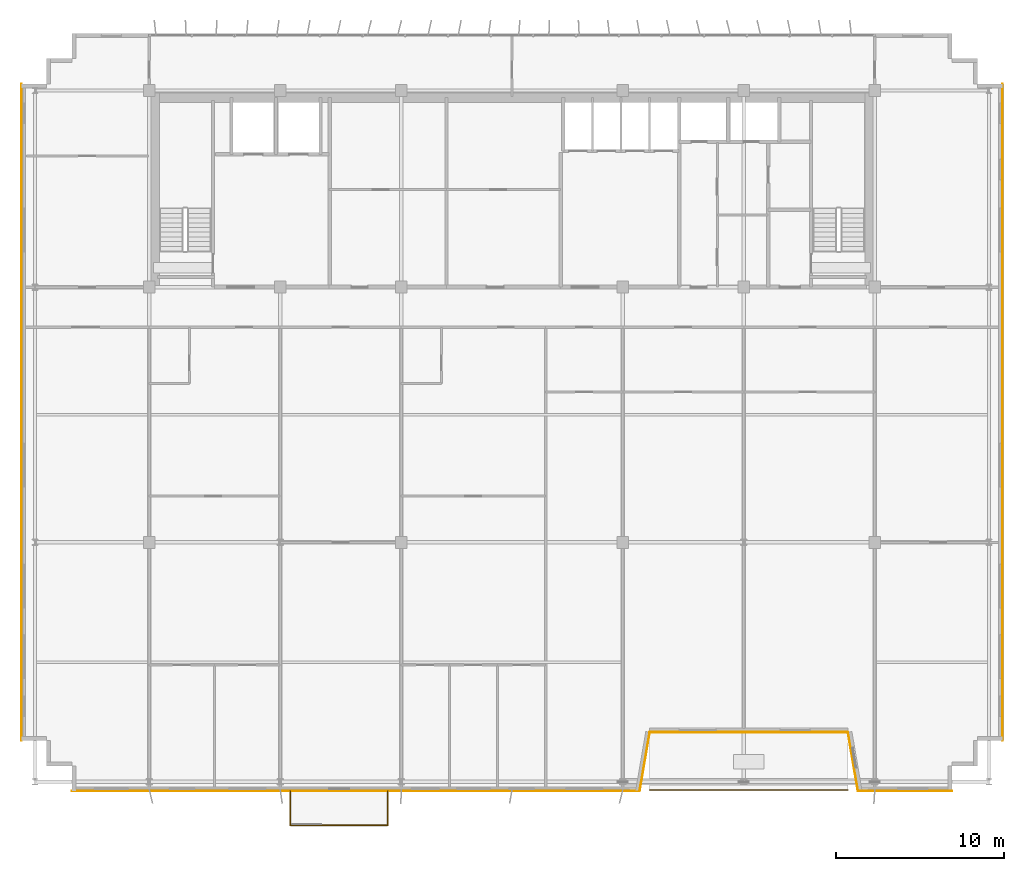
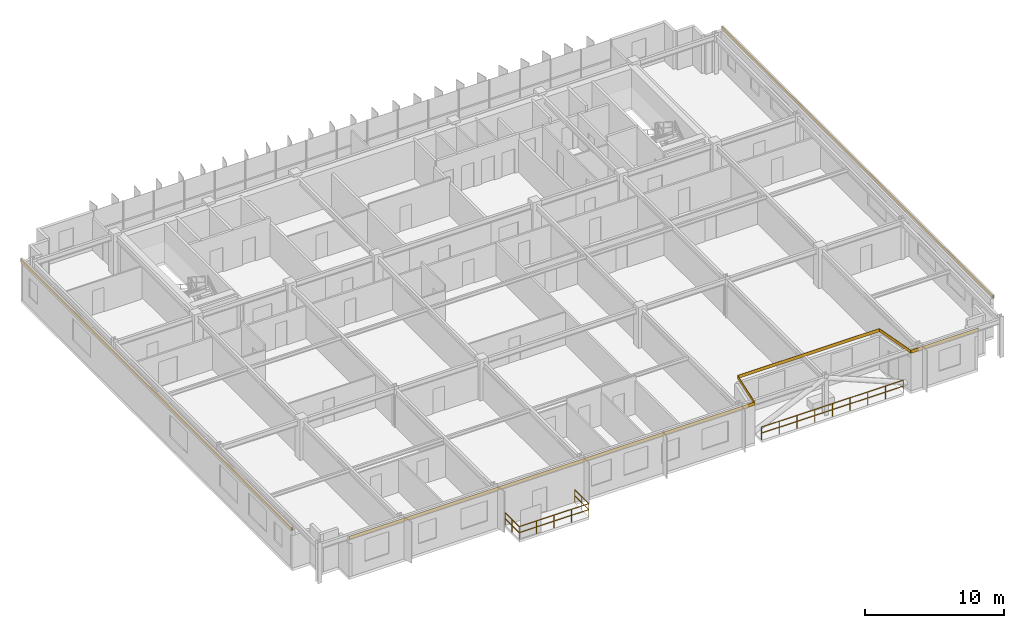
# One storey, part 22 of 23: 7 coverings, 4 railings.
"""IFC4 building model written with IfcOpenShell, lengths in metres."""

from ifc_helpers import new_model, si_unit, direction, frame, origin, origin_2d, place, context, subcontext, project, spatial, rectangle, extrude, source, transform, mapped, material, layer, layer_set, type_object, element, save


model = new_model("IFC4")

# Units and contexts
model_context = context("Model", 3, precision=1e-05, world=origin(), true_north=direction((0.0, 1.0)))
body_context = subcontext(model_context, "Body", "Model", "MODEL_VIEW")
ifc_project = project(units=[si_unit("LENGTHUNIT", "METRE"), si_unit("AREAUNIT", "SQUARE_METRE"), si_unit("VOLUMEUNIT", "CUBIC_METRE"), si_unit("PLANEANGLEUNIT", "RADIAN"), si_unit("MASSUNIT", "GRAM", prefix="KILO")], contexts=[model_context])

# Site, building, storey
site_placement = place(None, origin())
site = spatial("IfcSite", under=ifc_project, at=site_placement, CompositionType="ELEMENT")
building_placement = place(site_placement, origin())
building = spatial("IfcBuilding", under=site, at=building_placement, Name="Trelvane Seafront Commons", CompositionType="ELEMENT")
storey_placement = place(building_placement, frame((0.0, 0.0, 230.10009765625)))
storey = spatial("IfcBuildingStorey", under=building, at=storey_placement, Name="L60", CompositionType="ELEMENT", Elevation=230.10009765625)

# Railings
ifc_material_1 = material(Name="Stainless steel balustrade", Category="steel")
railing_type = type_object("IfcRailingType", Name="ARCH-RAIL-BAL1150", PredefinedType="BALUSTRADE", material=ifc_material_1)
railing_1_placement = place(storey_placement, frame((45.39990234375, 3.4599609375, 0.0)))
element("IfcRailing", 1, at=railing_1_placement, inside=storey, type_object=railing_type, Name="RL-L60-TR0-01", PredefinedType="BALUSTRADE", context=body_context, shape_type="SweptSolid", body=[
    extrude(rectangle(XDim=0.048095703125, YDim=0.048095703125, at=origin_2d()), frame((0.0, 0.0, 1.1259765625), z_axis=(1.0, 0.0, 0.0), x_axis=(0.0, 1.0, 0.0)), (0.0, 0.0, 1.0), 11.800048828125),
    extrude(rectangle(XDim=0.048095703125, YDim=0.048095703125, at=origin_2d()), frame((0.0, 0.0, 0.597900390625), z_axis=(1.0, 0.0, 0.0), x_axis=(0.0, 1.0, 0.0)), (0.0, 0.0, 1.0), 11.800048828125),
    extrude(rectangle(XDim=0.0419921875, YDim=0.0419921875, at=origin_2d()), origin(), (0.0, 0.0, 1.0), 1.1259765625),
    extrude(rectangle(XDim=0.0419921875, YDim=0.0419921875, at=origin_2d()), frame((1.47509765625, 0.0, 0.0)), (0.0, 0.0, 1.0), 1.1259765625),
    extrude(rectangle(XDim=0.0419921875, YDim=0.0419921875, at=origin_2d()), frame((2.949951171875, 0.0, 0.0)), (0.0, 0.0, 1.0), 1.1259765625),
    extrude(rectangle(XDim=0.0419921875, YDim=0.0419921875, at=origin_2d()), frame((4.425048828125, 0.0, 0.0)), (0.0, 0.0, 1.0), 1.1259765625),
    extrude(rectangle(XDim=0.0419921875, YDim=0.0419921875, at=origin_2d()), frame((5.89990234375, 0.0, 0.0)), (0.0, 0.0, 1.0), 1.1259765625),
    extrude(rectangle(XDim=0.0419921875, YDim=0.0419921875, at=origin_2d()), frame((7.375, 0.0, 0.0)), (0.0, 0.0, 1.0), 1.1259765625),
    extrude(rectangle(XDim=0.0419921875, YDim=0.0419921875, at=origin_2d()), frame((8.85009765625, 0.0, 0.0)), (0.0, 0.0, 1.0), 1.1259765625),
    extrude(rectangle(XDim=0.0419921875, YDim=0.0419921875, at=origin_2d()), frame((10.324951171875, 0.0, 0.0)), (0.0, 0.0, 1.0), 1.1259765625),
    extrude(rectangle(XDim=0.0419921875, YDim=0.0419921875, at=origin_2d()), frame((11.800048828125, 0.0, 0.0)), (0.0, 0.0, 1.0), 1.1259765625),
])
railing_2_placement = place(storey_placement, frame((24.0, 3.39990234375, 0.0)))
element("IfcRailing", 2, at=railing_2_placement, inside=storey, type_object=railing_type, Name="RL-L60-BAL0-01", PredefinedType="BALUSTRADE", context=body_context, shape_type="SweptSolid", body=[
    extrude(rectangle(XDim=0.048095703125, YDim=0.048095703125, at=origin_2d()), frame((0.0, 0.0, 1.1259765625), z_axis=(0.0, -1.0, 0.0), x_axis=(1.0, 0.0, 0.0)), (0.0, 0.0, 1.0), 2.039794921875),
    extrude(rectangle(XDim=0.048095703125, YDim=0.048095703125, at=origin_2d()), frame((0.0, 0.0, 0.597900390625), z_axis=(0.0, -1.0, 0.0), x_axis=(1.0, 0.0, 0.0)), (0.0, 0.0, 1.0), 2.039794921875),
    extrude(rectangle(XDim=0.0419921875, YDim=0.0419921875, at=origin_2d()), origin(), (0.0, 0.0, 1.0), 1.1259765625),
    extrude(rectangle(XDim=0.0419921875, YDim=0.0419921875, at=origin_2d()), frame((0.0, -1.02001953125, 0.0)), (0.0, 0.0, 1.0), 1.1259765625),
    extrude(rectangle(XDim=0.0419921875, YDim=0.0419921875, at=origin_2d()), frame((0.0, -2.039794921875, 0.0)), (0.0, 0.0, 1.0), 1.1259765625),
])
railing_3_placement = place(storey_placement, frame((24.0, 1.360107421875, 0.0)))
element("IfcRailing", 3, at=railing_3_placement, inside=storey, type_object=railing_type, Name="RL-L60-BAL0-02", PredefinedType="BALUSTRADE", context=body_context, shape_type="SweptSolid", body=[
    extrude(rectangle(XDim=0.048095703125, YDim=0.048095703125, at=origin_2d()), frame((0.0, 0.0, 1.1259765625), z_axis=(1.0, 0.0, 0.0), x_axis=(0.0, 1.0, 0.0)), (0.0, 0.0, 1.0), 5.800048828125),
    extrude(rectangle(XDim=0.048095703125, YDim=0.048095703125, at=origin_2d()), frame((0.0, 0.0, 0.597900390625), z_axis=(1.0, 0.0, 0.0), x_axis=(0.0, 1.0, 0.0)), (0.0, 0.0, 1.0), 5.800048828125),
    extrude(rectangle(XDim=0.0419921875, YDim=0.0419921875, at=origin_2d()), origin(), (0.0, 0.0, 1.0), 1.1259765625),
    extrude(rectangle(XDim=0.0419921875, YDim=0.0419921875, at=origin_2d()), frame((1.449951171875, 0.0, 0.0)), (0.0, 0.0, 1.0), 1.1259765625),
    extrude(rectangle(XDim=0.0419921875, YDim=0.0419921875, at=origin_2d()), frame((2.89990234375, 0.0, 0.0)), (0.0, 0.0, 1.0), 1.1259765625),
    extrude(rectangle(XDim=0.0419921875, YDim=0.0419921875, at=origin_2d()), frame((4.35009765625, 0.0, 0.0)), (0.0, 0.0, 1.0), 1.1259765625),
    extrude(rectangle(XDim=0.0419921875, YDim=0.0419921875, at=origin_2d()), frame((5.800048828125, 0.0, 0.0)), (0.0, 0.0, 1.0), 1.1259765625),
])
railing_4_placement = place(storey_placement, frame((29.800048828125, 1.360107421875, 0.0)))
element("IfcRailing", 4, at=railing_4_placement, inside=storey, type_object=railing_type, Name="RL-L60-BAL0-03", PredefinedType="BALUSTRADE", context=body_context, shape_type="SweptSolid", body=[
    extrude(rectangle(XDim=0.048095703125, YDim=0.048095703125, at=origin_2d()), frame((0.0, 0.0, 1.1259765625), z_axis=(0.0, 1.0, 0.0), x_axis=(-1.0, 0.0, 0.0)), (0.0, 0.0, 1.0), 2.039794921875),
    extrude(rectangle(XDim=0.048095703125, YDim=0.048095703125, at=origin_2d()), frame((0.0, 0.0, 0.597900390625), z_axis=(0.0, 1.0, 0.0), x_axis=(-1.0, 0.0, 0.0)), (0.0, 0.0, 1.0), 2.039794921875),
    extrude(rectangle(XDim=0.0419921875, YDim=0.0419921875, at=origin_2d()), origin(), (0.0, 0.0, 1.0), 1.1259765625),
    extrude(rectangle(XDim=0.0419921875, YDim=0.0419921875, at=origin_2d()), frame((0.0, 1.02001953125, 0.0)), (0.0, 0.0, 1.0), 1.1259765625),
    extrude(rectangle(XDim=0.0419921875, YDim=0.0419921875, at=origin_2d()), frame((0.0, 2.039794921875, 0.0)), (0.0, 0.0, 1.0), 1.1259765625),
])

# Coverings
ifc_material_2 = material(Name="Anodised pale-silver aluminium", Category="aluminium")
ifc_layer = layer(ifc_material_2, 0.034912109375, Name="ARCH-COV-CLAD35")
ifc_layer_set = layer_set([ifc_layer], Name="Anodised pale-silver aluminium")
covering_type = type_object("IfcCoveringType", Name="ARCH-COV-CLAD35", PredefinedType="CLADDING", material=ifc_layer_set)
shared_shape_1 = source(origin(), body_context, "Body", "SweptSolid", [
    extrude(rectangle(XDim=39.10009765625, YDim=0.034912109375, at=origin_2d()), origin(), (0.0, 0.0, 1.0), 0.280029296875),
])
for number, where, z_axis, x_axis, name in (
    (5, (8.0, 25.949951171875, 3.31982421875), (0.0, 0.0, 1.0), (0.0, 1.0, 0.0), "CLD-L60-00244"),
    (6, (66.39990234375, 25.949951171875, 3.31982421875), (0.0, 0.0, 1.0), (0.0, -1.0, 0.0), "CLD-L60-00245"),
):
    element("IfcCovering", number, at=place(storey_placement, frame(where, z_axis=z_axis, x_axis=x_axis)), inside=storey, type_object=covering_type, Name=name, PredefinedType="CLADDING", context=body_context, shape_type="MappedRepresentation", body=[
        mapped(shared_shape_1, transform((0.0, 0.0, 0.0), x_axis=(1.0, 0.0, 0.0), y_axis=(0.0, 1.0, 0.0), z_axis=(0.0, 0.0, 1.0), scale=1.0)),
    ])
shared_shape_2 = source(origin(), body_context, "Body", "SweptSolid", [
    extrude(rectangle(XDim=5.60009765625, YDim=0.034912109375, at=origin_2d()), origin(), (0.0, 0.0, 1.0), 0.280029296875),
])
covering_1_placement = place(storey_placement, frame((60.60009765625, 3.39990234375, 3.31982421875), z_axis=(0.0, 0.0, 1.0), x_axis=(-1.0, 0.0, 0.0)))
element("IfcCovering", 7, at=covering_1_placement, inside=storey, type_object=covering_type, Name="CLD-L60-00246", PredefinedType="CLADDING", context=body_context, shape_type="MappedRepresentation", body=[
    mapped(shared_shape_2, transform((0.0, 0.0, 0.0), x_axis=(1.0, 0.0, 0.0), y_axis=(0.0, 1.0, 0.0), z_axis=(0.0, 0.0, 1.0), scale=1.0)),
])
shared_shape_3 = source(origin(), body_context, "Body", "SweptSolid", [
    extrude(rectangle(XDim=3.551025390625, YDim=0.034912109375, at=origin_2d()), origin(), (0.0, 0.0, 1.0), 0.280029296875),
])
for number, where, z_axis, x_axis, name in (
    (8, (57.5, 5.14990234375, 3.31982421875), (0.0, 0.0, 1.0), (-0.168964184077, 0.985622191562, 0.0), "CLD-L60-00247"),
    (9, (45.10009765625, 5.14990234375, 3.31982421875), (0.0, 0.0, 1.0), (-0.168964184077, -0.985622191562, 0.0), "CLD-L60-00249"),
):
    element("IfcCovering", number, at=place(storey_placement, frame(where, z_axis=z_axis, x_axis=x_axis)), inside=storey, type_object=covering_type, Name=name, PredefinedType="CLADDING", context=body_context, shape_type="MappedRepresentation", body=[
        mapped(shared_shape_3, transform((0.0, 0.0, 0.0), x_axis=(1.0, 0.0, 0.0), y_axis=(0.0, 1.0, 0.0), z_axis=(0.0, 0.0, 1.0), scale=1.0)),
    ])
shared_shape_4 = source(origin(), body_context, "Body", "SweptSolid", [
    extrude(rectangle(XDim=11.800048828125, YDim=0.034912109375, at=origin_2d()), origin(), (0.0, 0.0, 1.0), 0.280029296875),
])
covering_2_placement = place(storey_placement, frame((51.300048828125, 6.89990234375, 3.31982421875), z_axis=(0.0, 0.0, 1.0), x_axis=(-1.0, 0.0, 0.0)))
element("IfcCovering", 10, at=covering_2_placement, inside=storey, type_object=covering_type, Name="CLD-L60-00248", PredefinedType="CLADDING", context=body_context, shape_type="MappedRepresentation", body=[
    mapped(shared_shape_4, transform((0.0, 0.0, 0.0), x_axis=(1.0, 0.0, 0.0), y_axis=(0.0, 1.0, 0.0), z_axis=(0.0, 0.0, 1.0), scale=1.0)),
])
shared_shape_5 = source(origin(), body_context, "Body", "SweptSolid", [
    extrude(rectangle(XDim=33.800048828125, YDim=0.034912109375, at=origin_2d()), origin(), (0.0, 0.0, 1.0), 0.280029296875),
])
covering_3_placement = place(storey_placement, frame((27.89990234375, 3.39990234375, 3.31982421875), z_axis=(0.0, 0.0, 1.0), x_axis=(-1.0, 0.0, 0.0)))
element("IfcCovering", 11, at=covering_3_placement, inside=storey, type_object=covering_type, Name="CLD-L60-00250", PredefinedType="CLADDING", context=body_context, shape_type="MappedRepresentation", body=[
    mapped(shared_shape_5, transform((0.0, 0.0, 0.0), x_axis=(1.0, 0.0, 0.0), y_axis=(0.0, 1.0, 0.0), z_axis=(0.0, 0.0, 1.0), scale=1.0)),
])

save(model, "model.ifc")
